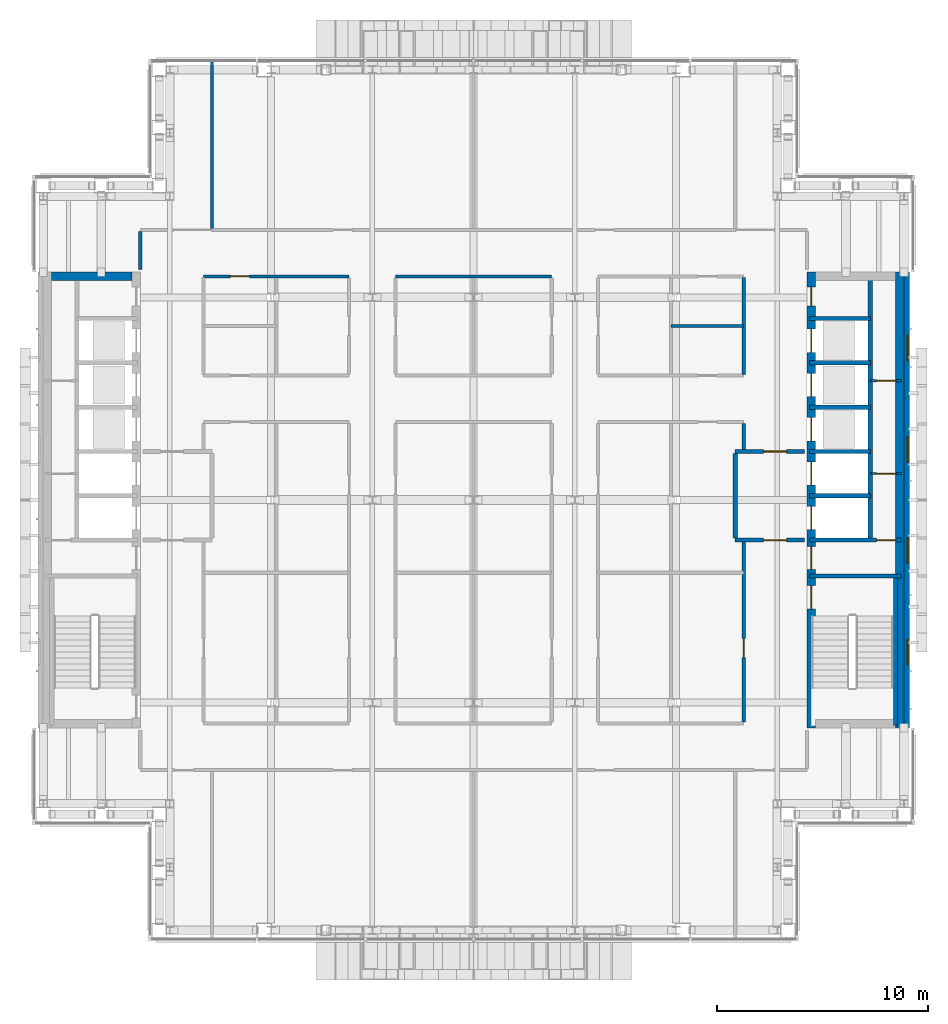
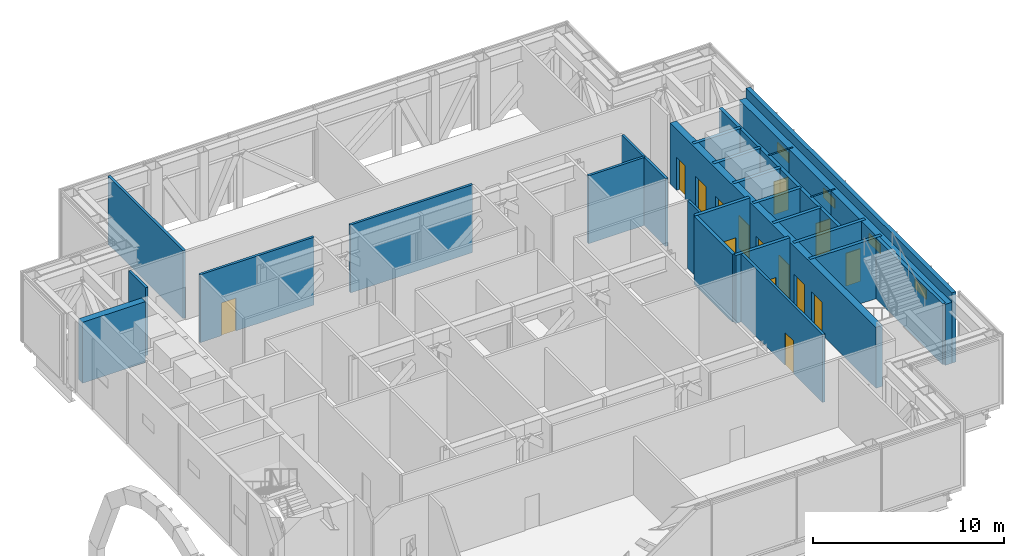
# One storey, part 13 of 26: 26 walls, 15 doors, 4 windows, 19 openings.
"""IFC4 building model written with IfcOpenShell, lengths in metres."""

from ifc_helpers import new_model, si_unit, direction, frame, frame_2d, origin, place, context, subcontext, project, spatial, rectangle, extrude, material, layer, layer_set, type_object, element, fill, save


model = new_model("IFC4")

# Units and contexts
model_context = context("Model", 3, precision=1e-05, world=origin(), true_north=direction((0.0, 1.0)))
body_context = subcontext(model_context, "Body", "Model", "MODEL_VIEW")
ifc_project = project(units=[si_unit("LENGTHUNIT", "METRE"), si_unit("AREAUNIT", "SQUARE_METRE"), si_unit("VOLUMEUNIT", "CUBIC_METRE"), si_unit("PLANEANGLEUNIT", "RADIAN"), si_unit("MASSUNIT", "GRAM", prefix="KILO")], contexts=[model_context])

# Site, building, storey
site_placement = place(None, origin())
site = spatial("IfcSite", under=ifc_project, at=site_placement, CompositionType="ELEMENT")
building_placement = place(site_placement, origin())
building = spatial("IfcBuilding", under=site, at=building_placement, Name="Cobrizo Arcos Hotel Tower", CompositionType="ELEMENT")
storey_placement = place(building_placement, frame((0.0, 0.0, 236.5)))
storey = spatial("IfcBuildingStorey", under=building, at=storey_placement, Name="L62", CompositionType="ELEMENT", Elevation=236.5)

# Wall
ifc_material_1 = material(Name="Gypsum board partition")
ifc_layer_1 = layer(ifc_material_1, 0.14990234375)
ifc_layer_set_1 = layer_set([ifc_layer_1], Name="Corridor wall EI 60 150")
wall_type_1 = type_object("IfcWallType", Name="Corridor wall EI 60 150", PredefinedType="PARTITIONING", material=ifc_layer_set_1)
wall_1_placement = place(storey_placement, frame((9.35009765625, 8.25, 0.0), z_axis=(0.0, 0.0, 1.0), x_axis=(1.0, 0.0, 0.0)))
element("IfcWall", 1, at=wall_1_placement, inside=storey, type_object=wall_type_1, Name="Partition 035", PredefinedType="PARTITIONING", context=body_context, shape_type="SweptSolid", body=[
    extrude(rectangle(XDim=3.449951171875, YDim=0.14990234375, at=frame_2d((1.72509765625, 0.0))), origin(), (0.0, 0.0, 1.0), 4.35009765625),
])

# Wall, opening, door
wall_2_placement = place(storey_placement, frame((-12.800048828125, 10.60009765625, 0.0), z_axis=(0.0, 0.0, 1.0), x_axis=(1.0, 0.0, 0.0)))
wall_2 = element("IfcWall", 2, at=wall_2_placement, inside=storey, type_object=wall_type_1, Name="Partition 038", PredefinedType="PARTITIONING", context=body_context, shape_type="SweptSolid", body=[
    extrude(rectangle(XDim=6.900146484375, YDim=0.14990234375, at=frame_2d((3.4501953125, 0.0))), origin(), (0.0, 0.0, 1.0), 4.35009765625),
])
opening_1_placement = place(wall_2_placement, frame((1.27490234375, 0.0, 0.0)))
opening_1 = element("IfcOpeningElement", 3, at=opening_1_placement, cuts=wall_2, Name="Opening RD-33", PredefinedType="OPENING", context=body_context, shape_type="SweptSolid", body=[
    extrude(rectangle(XDim=0.89990234375, YDim=2.10009765625, at=frame_2d((0.449951171875, 1.050048828125))), frame((0.0, 0.0869140625, 0.0), z_axis=(0.0, -1.0, 0.0), x_axis=(1.0, 0.0, 0.0)), (0.0, 0.0, 1.0), 0.173828125),
])
ifc_material_2 = material(Name="Timber door leaf", Category="wood")
door_type_1 = type_object("IfcDoorType", Name="Room door FD30 900x2100", OperationType="SINGLE_SWING_LEFT", PredefinedType="DOOR", material=ifc_material_2)
door_1_placement = place(opening_1_placement, origin())
door_1 = element("IfcDoor", 4, at=door_1_placement, inside=storey, type_object=door_type_1, Name="Door RD-33", OperationType="SINGLE_SWING_RIGHT", OverallHeight=2.10009765625, OverallWidth=0.89990234375, PredefinedType="DOOR", context=body_context, shape_type="SweptSolid", body=[
    extrude(rectangle(XDim=0.89990234375, YDim=2.10009765625, at=frame_2d((0.449951171875, 1.050048828125))), frame((0.0, 0.02490234375, 0.0), z_axis=(0.0, -1.0, 0.0), x_axis=(1.0, 0.0, 0.0)), (0.0, 0.0, 1.0), 0.050048828125),
])
fill(opening_1, door_1)

# Walls
wall_3_placement = place(storey_placement, frame((-3.699951171875, 10.60009765625, 0.0), z_axis=(0.0, 0.0, 1.0), x_axis=(1.0, 0.0, 0.0)))
element("IfcWall", 5, at=wall_3_placement, inside=storey, type_object=wall_type_1, Name="Partition 039", PredefinedType="PARTITIONING", context=body_context, shape_type="SweptSolid", body=[
    extrude(rectangle(XDim=7.39990234375, YDim=0.14990234375, at=frame_2d((3.699951171875, 0.0))), origin(), (0.0, 0.0, 1.0), 4.35009765625),
])
wall_4_placement = place(storey_placement, frame((-15.800048828125, 10.919921875, 0.0), z_axis=(0.0, 0.0, 1.0), x_axis=(0.0, 1.0, 0.0)))
element("IfcWall", 6, at=wall_4_placement, inside=storey, type_object=wall_type_1, Name="Partition 045", PredefinedType="PARTITIONING", context=body_context, shape_type="SweptSolid", body=[
    extrude(rectangle(XDim=1.80517578125, YDim=0.14990234375, at=frame_2d((0.902587890625, 0.0))), origin(), (0.0, 0.0, 1.0), 4.35009765625),
])
wall_5_placement = place(storey_placement, frame((-12.39990234375, 12.875, 0.0), z_axis=(0.0, 0.0, 1.0), x_axis=(0.0, 1.0, 0.0)))
element("IfcWall", 7, at=wall_5_placement, inside=storey, type_object=wall_type_1, Name="Partition 051", PredefinedType="PARTITIONING", context=body_context, shape_type="SweptSolid", body=[
    extrude(rectangle(XDim=7.905029296875, YDim=0.14990234375, at=frame_2d((3.95263671875, 0.0))), origin(), (0.0, 0.0, 1.0), 4.35009765625),
])

# Wall, opening, door
wall_6_placement = place(storey_placement, frame((12.800048828125, -10.52490234375, 0.0), z_axis=(0.0, 0.0, 1.0), x_axis=(0.0, 1.0, 0.0)))
wall_6 = element("IfcWall", 8, at=wall_6_placement, inside=storey, type_object=wall_type_1, Name="Partition 080", PredefinedType="PARTITIONING", context=body_context, shape_type="SweptSolid", body=[
    extrude(rectangle(XDim=8.52490234375, YDim=0.14990234375, at=frame_2d((4.262451171875, 0.0))), origin(), (0.0, 0.0, 1.0), 4.35009765625),
])
opening_2_placement = place(wall_6_placement, frame((3.050048828125, 0.0, 0.0)))
opening_2 = element("IfcOpeningElement", 9, at=opening_2_placement, cuts=wall_6, Name="Opening RD-17", PredefinedType="OPENING", context=body_context, shape_type="SweptSolid", body=[
    extrude(rectangle(XDim=0.89990234375, YDim=2.10009765625, at=frame_2d((0.449951171875, 1.050048828125))), frame((0.0, 0.0869140625, 0.0), z_axis=(0.0, -1.0, 0.0), x_axis=(1.0, 0.0, 0.0)), (0.0, 0.0, 1.0), 0.173828125),
])
door_2_placement = place(opening_2_placement, origin())
door_2 = element("IfcDoor", 10, at=door_2_placement, inside=storey, type_object=door_type_1, Name="Door RD-17", OperationType="SINGLE_SWING_LEFT", OverallHeight=2.10009765625, OverallWidth=0.89990234375, PredefinedType="DOOR", context=body_context, shape_type="SweptSolid", body=[
    extrude(rectangle(XDim=0.89990234375, YDim=2.10009765625, at=frame_2d((0.449951171875, 1.050048828125))), frame((0.0, 0.02490234375, 0.0), z_axis=(0.0, -1.0, 0.0), x_axis=(1.0, 0.0, 0.0)), (0.0, 0.0, 1.0), 0.050048828125),
])
fill(opening_2, door_2)

# Walls
wall_7_placement = place(storey_placement, frame((12.800048828125, 2.39990234375, 0.0), z_axis=(0.0, 0.0, 1.0), x_axis=(0.0, 1.0, 0.0)))
element("IfcWall", 11, at=wall_7_placement, inside=storey, type_object=wall_type_1, Name="Partition 081", PredefinedType="PARTITIONING", context=body_context, shape_type="SweptSolid", body=[
    extrude(rectangle(XDim=1.22509765625, YDim=0.14990234375, at=frame_2d((0.612548828125, 0.0))), origin(), (0.0, 0.0, 1.0), 4.35009765625),
])
wall_8_placement = place(storey_placement, frame((12.800048828125, 5.949951171875, 0.0), z_axis=(0.0, 0.0, 1.0), x_axis=(0.0, 1.0, 0.0)))
element("IfcWall", 12, at=wall_8_placement, inside=storey, type_object=wall_type_1, Name="Partition 082", PredefinedType="PARTITIONING", context=body_context, shape_type="SweptSolid", body=[
    extrude(rectangle(XDim=4.60009765625, YDim=0.14990234375, at=frame_2d((2.300048828125, 0.0))), origin(), (0.0, 0.0, 1.0), 4.35009765625),
])

# Wall, openings, windows
ifc_material_3 = material(Name="Aluminium composite panel pale metal", Category="aluminium")
ifc_layer_2 = layer(ifc_material_3, 0.25)
ifc_layer_set_2 = layer_set([ifc_layer_2], Name="EW-1 insulated panel wall 250")
wall_type_2 = type_object("IfcWallType", Name="EW-1 insulated panel wall 250", PredefinedType="SOLIDWALL", material=ifc_layer_set_2)
wall_9_placement = place(storey_placement, frame((20.52490234375, -10.800048828125, 0.0), z_axis=(0.0, 0.0, 1.0), x_axis=(0.0, 1.0, 0.0)))
wall_9 = element("IfcWall", 13, at=wall_9_placement, inside=storey, type_object=wall_type_2, Name="Core face wall L62 E", PredefinedType="SOLIDWALL", context=body_context, shape_type="SweptSolid", body=[
    extrude(rectangle(XDim=21.60009765625, YDim=0.25, at=frame_2d((10.800048828125, 0.0))), origin(), (0.0, 0.0, 1.0), 4.5),
])
opening_3_placement = place(wall_9_placement, frame((3.0, 0.0, 2.199951171875)))
opening_3 = element("IfcOpeningElement", 14, at=opening_3_placement, cuts=wall_9, Name="Opening W-137", PredefinedType="OPENING", context=body_context, shape_type="SweptSolid", body=[
    extrude(rectangle(XDim=1.199951171875, YDim=0.60009765625, at=frame_2d((0.60009765625, 0.300048828125))), frame((0.0, 0.136962890625, 0.0), z_axis=(0.0, -1.0, 0.0), x_axis=(1.0, 0.0, 0.0)), (0.0, 0.0, 1.0), 0.27392578125),
])
opening_4_placement = place(wall_9_placement, frame((7.800048828125, 0.0, 2.199951171875)))
opening_4 = element("IfcOpeningElement", 15, at=opening_4_placement, cuts=wall_9, Name="Opening W-138", PredefinedType="OPENING", context=body_context, shape_type="SweptSolid", body=[
    extrude(rectangle(XDim=1.199951171875, YDim=0.60009765625, at=frame_2d((0.60009765625, 0.300048828125))), frame((0.0, 0.136962890625, 0.0), z_axis=(0.0, -1.0, 0.0), x_axis=(1.0, 0.0, 0.0)), (0.0, 0.0, 1.0), 0.27392578125),
])
opening_5_placement = place(wall_9_placement, frame((12.60009765625, 0.0, 2.199951171875)))
opening_5 = element("IfcOpeningElement", 16, at=opening_5_placement, cuts=wall_9, Name="Opening W-139", PredefinedType="OPENING", context=body_context, shape_type="SweptSolid", body=[
    extrude(rectangle(XDim=1.199951171875, YDim=0.60009765625, at=frame_2d((0.60009765625, 0.300048828125))), frame((0.0, 0.136962890625, 0.0), z_axis=(0.0, -1.0, 0.0), x_axis=(1.0, 0.0, 0.0)), (0.0, 0.0, 1.0), 0.27392578125),
])
opening_6_placement = place(wall_9_placement, frame((17.39990234375, 0.0, 2.199951171875)))
opening_6 = element("IfcOpeningElement", 17, at=opening_6_placement, cuts=wall_9, Name="Opening W-140", PredefinedType="OPENING", context=body_context, shape_type="SweptSolid", body=[
    extrude(rectangle(XDim=1.199951171875, YDim=0.60009765625, at=frame_2d((0.60009765625, 0.300048828125))), frame((0.0, 0.136962890625, 0.0), z_axis=(0.0, -1.0, 0.0), x_axis=(1.0, 0.0, 0.0)), (0.0, 0.0, 1.0), 0.27392578125),
])
ifc_material_4 = material(Name="Aluminium 6063-T6 and clear laminated glass", Category="aluminium")
window_type = type_object("IfcWindowType", Name="W-S1 plant smoke-vent window 1200x600", PartitioningType="SINGLE_PANEL", PredefinedType="WINDOW", material=ifc_material_4)
window_1_placement = place(opening_3_placement, origin())
window_1 = element("IfcWindow", 18, at=window_1_placement, inside=storey, type_object=window_type, Name="Core face wall L62 E window W-137", OverallHeight=0.60009765625, OverallWidth=1.199951171875, PartitioningType="SINGLE_PANEL", PredefinedType="WINDOW", context=body_context, shape_type="SweptSolid", body=[
    extrude(rectangle(XDim=1.199951171875, YDim=0.60009765625, at=frame_2d((0.60009765625, 0.300048828125))), frame((0.0, -0.034912109375, 0.0), z_axis=(0.0, -1.0, 0.0), x_axis=(1.0, 0.0, 0.0)), (0.0, 0.0, 1.0), 0.06005859375),
])
fill(opening_3, window_1)
window_2_placement = place(opening_4_placement, origin())
window_2 = element("IfcWindow", 19, at=window_2_placement, inside=storey, type_object=window_type, Name="Core face wall L62 E window W-138", OverallHeight=0.60009765625, OverallWidth=1.199951171875, PartitioningType="SINGLE_PANEL", PredefinedType="WINDOW", context=body_context, shape_type="SweptSolid", body=[
    extrude(rectangle(XDim=1.199951171875, YDim=0.60009765625, at=frame_2d((0.60009765625, 0.300048828125))), frame((0.0, -0.034912109375, 0.0), z_axis=(0.0, -1.0, 0.0), x_axis=(1.0, 0.0, 0.0)), (0.0, 0.0, 1.0), 0.06005859375),
])
fill(opening_4, window_2)
window_3_placement = place(opening_5_placement, origin())
window_3 = element("IfcWindow", 20, at=window_3_placement, inside=storey, type_object=window_type, Name="Core face wall L62 E window W-139", OverallHeight=0.60009765625, OverallWidth=1.199951171875, PartitioningType="SINGLE_PANEL", PredefinedType="WINDOW", context=body_context, shape_type="SweptSolid", body=[
    extrude(rectangle(XDim=1.199951171875, YDim=0.60009765625, at=frame_2d((0.60009765625, 0.300048828125))), frame((0.0, -0.034912109375, 0.0), z_axis=(0.0, -1.0, 0.0), x_axis=(1.0, 0.0, 0.0)), (0.0, 0.0, 1.0), 0.06005859375),
])
fill(opening_5, window_3)
window_4_placement = place(opening_6_placement, origin())
window_4 = element("IfcWindow", 21, at=window_4_placement, inside=storey, type_object=window_type, Name="Core face wall L62 E window W-140", OverallHeight=0.60009765625, OverallWidth=1.199951171875, PartitioningType="SINGLE_PANEL", PredefinedType="WINDOW", context=body_context, shape_type="SweptSolid", body=[
    extrude(rectangle(XDim=1.199951171875, YDim=0.60009765625, at=frame_2d((0.60009765625, 0.300048828125))), frame((0.0, -0.034912109375, 0.0), z_axis=(0.0, -1.0, 0.0), x_axis=(1.0, 0.0, 0.0)), (0.0, 0.0, 1.0), 0.06005859375),
])
fill(opening_6, window_4)

# Wall, opening, door
ifc_layer_3 = layer(ifc_material_1, 0.10009765625)
ifc_layer_set_3 = layer_set([ifc_layer_3], Name="Partition EI 30 100")
wall_type_3 = type_object("IfcWallType", Name="Partition EI 30 100", PredefinedType="PARTITIONING", material=ifc_layer_set_3)
wall_10_placement = place(storey_placement, frame((18.800048828125, 1.25, 0.0), z_axis=(0.0, 0.0, 1.0), x_axis=(1.0, 0.0, 0.0)))
wall_10 = element("IfcWall", 22, at=wall_10_placement, inside=storey, type_object=wall_type_3, Name="Partition 017", PredefinedType="PARTITIONING", context=body_context, shape_type="SweptSolid", body=[
    extrude(rectangle(XDim=1.47998046875, YDim=0.10009765625, at=frame_2d((0.739990234375, 0.0))), origin(), (0.0, 0.0, 1.0), 3.89990234375),
])
opening_7_placement = place(wall_10_placement, frame((0.300048828125, 0.0, 0.0)))
opening_7 = element("IfcOpeningElement", 23, at=opening_7_placement, cuts=wall_10, Name="Opening RD-07", PredefinedType="OPENING", context=body_context, shape_type="SweptSolid", body=[
    extrude(rectangle(XDim=0.89990234375, YDim=2.10009765625, at=frame_2d((0.449951171875, 1.050048828125))), frame((0.0, 0.06201171875, 0.0), z_axis=(0.0, -1.0, 0.0), x_axis=(1.0, 0.0, 0.0)), (0.0, 0.0, 1.0), 0.1240234375),
])
door_3_placement = place(opening_7_placement, origin())
door_3 = element("IfcDoor", 24, at=door_3_placement, inside=storey, type_object=door_type_1, Name="Door RD-07", OperationType="SINGLE_SWING_RIGHT", OverallHeight=2.10009765625, OverallWidth=0.89990234375, PredefinedType="DOOR", context=body_context, shape_type="SweptSolid", body=[
    extrude(rectangle(XDim=0.89990234375, YDim=2.10009765625, at=frame_2d((0.449951171875, 1.050048828125))), frame((0.0, 0.02490234375, 0.0), z_axis=(0.0, -1.0, 0.0), x_axis=(1.0, 0.0, 0.0)), (0.0, 0.0, 1.0), 0.050048828125),
])
fill(opening_7, door_3)

wall_11_placement = place(storey_placement, frame((18.800048828125, 5.64990234375, 0.0), z_axis=(0.0, 0.0, 1.0), x_axis=(1.0, 0.0, 0.0)))
wall_11 = element("IfcWall", 25, at=wall_11_placement, inside=storey, type_object=wall_type_3, Name="Partition 028", PredefinedType="PARTITIONING", context=body_context, shape_type="SweptSolid", body=[
    extrude(rectangle(XDim=1.47998046875, YDim=0.10009765625, at=frame_2d((0.739990234375, 0.0))), origin(), (0.0, 0.0, 1.0), 3.89990234375),
])
opening_8_placement = place(wall_11_placement, frame((0.300048828125, 0.0, 0.0)))
opening_8 = element("IfcOpeningElement", 26, at=opening_8_placement, cuts=wall_11, Name="Opening RD-08", PredefinedType="OPENING", context=body_context, shape_type="SweptSolid", body=[
    extrude(rectangle(XDim=0.89990234375, YDim=2.10009765625, at=frame_2d((0.449951171875, 1.050048828125))), frame((0.0, 0.06201171875, 0.0), z_axis=(0.0, -1.0, 0.0), x_axis=(1.0, 0.0, 0.0)), (0.0, 0.0, 1.0), 0.1240234375),
])
door_4_placement = place(opening_8_placement, origin())
door_4 = element("IfcDoor", 27, at=door_4_placement, inside=storey, type_object=door_type_1, Name="Door RD-08", OperationType="SINGLE_SWING_LEFT", OverallHeight=2.10009765625, OverallWidth=0.89990234375, PredefinedType="DOOR", context=body_context, shape_type="SweptSolid", body=[
    extrude(rectangle(XDim=0.89990234375, YDim=2.10009765625, at=frame_2d((0.449951171875, 1.050048828125))), frame((0.0, 0.02490234375, 0.0), z_axis=(0.0, -1.0, 0.0), x_axis=(1.0, 0.0, 0.0)), (0.0, 0.0, 1.0), 0.050048828125),
])
fill(opening_8, door_4)

# Wall, openings, doors
ifc_material_5 = material(Name="Concrete f'c 40 MPa", Category="concrete")
ifc_layer_4 = layer(ifc_material_5, 0.39990234375)
ifc_layer_set_4 = layer_set([ifc_layer_4], Name="RC core wall 400 f'c 40")
wall_type_4 = type_object("IfcWallType", Name="RC core wall 400 f'c 40", PredefinedType="SHEAR", material=ifc_layer_set_4)
wall_12_placement = place(storey_placement, frame((16.0, -10.800048828125, 0.0), z_axis=(0.0, 0.0, 1.0), x_axis=(0.0, 1.0, 0.0)))
wall_12 = element("IfcWall", 28, at=wall_12_placement, inside=storey, type_object=wall_type_4, Name="Core wall CW4, east core, inner face, L62", PredefinedType="SHEAR", context=body_context, shape_type="SweptSolid", body=[
    extrude(rectangle(XDim=21.60009765625, YDim=0.39990234375, at=frame_2d((10.800048828125, 0.0))), origin(), (0.0, 0.0, 1.0), 3.89990234375),
])
opening_9_placement = place(wall_12_placement, frame((9.39990234375, 0.0, 0.0)))
opening_9 = element("IfcOpeningElement", 29, at=opening_9_placement, cuts=wall_12, Name="Opening LD-06", PredefinedType="OPENING", context=body_context, shape_type="SweptSolid", body=[
    extrude(rectangle(XDim=1.10009765625, YDim=2.10009765625, at=frame_2d((0.550048828125, 1.050048828125))), frame((0.0, 0.2119140625, 0.0), z_axis=(0.0, -1.0, 0.0), x_axis=(1.0, 0.0, 0.0)), (0.0, 0.0, 1.0), 0.423828125),
])
opening_10_placement = place(wall_12_placement, frame((11.5, 0.0, 0.0)))
opening_10 = element("IfcOpeningElement", 30, at=opening_10_placement, cuts=wall_12, Name="Opening LD-07", PredefinedType="OPENING", context=body_context, shape_type="SweptSolid", body=[
    extrude(rectangle(XDim=1.10009765625, YDim=2.10009765625, at=frame_2d((0.550048828125, 1.050048828125))), frame((0.0, 0.2119140625, 0.0), z_axis=(0.0, -1.0, 0.0), x_axis=(1.0, 0.0, 0.0)), (0.0, 0.0, 1.0), 0.423828125),
])
opening_11_placement = place(wall_12_placement, frame((13.60009765625, 0.0, 0.0)))
opening_11 = element("IfcOpeningElement", 31, at=opening_11_placement, cuts=wall_12, Name="Opening LD-08", PredefinedType="OPENING", context=body_context, shape_type="SweptSolid", body=[
    extrude(rectangle(XDim=1.10009765625, YDim=2.10009765625, at=frame_2d((0.550048828125, 1.050048828125))), frame((0.0, 0.2119140625, 0.0), z_axis=(0.0, -1.0, 0.0), x_axis=(1.0, 0.0, 0.0)), (0.0, 0.0, 1.0), 0.423828125),
])
opening_12_placement = place(wall_12_placement, frame((15.699951171875, 0.0, 0.0)))
opening_12 = element("IfcOpeningElement", 32, at=opening_12_placement, cuts=wall_12, Name="Opening LD-09", PredefinedType="OPENING", context=body_context, shape_type="SweptSolid", body=[
    extrude(rectangle(XDim=1.10009765625, YDim=2.10009765625, at=frame_2d((0.550048828125, 1.050048828125))), frame((0.0, 0.2119140625, 0.0), z_axis=(0.0, -1.0, 0.0), x_axis=(1.0, 0.0, 0.0)), (0.0, 0.0, 1.0), 0.423828125),
])
opening_13_placement = place(wall_12_placement, frame((17.800048828125, 0.0, 0.0)))
opening_13 = element("IfcOpeningElement", 33, at=opening_13_placement, cuts=wall_12, Name="Opening LD-10", PredefinedType="OPENING", context=body_context, shape_type="SweptSolid", body=[
    extrude(rectangle(XDim=1.10009765625, YDim=2.10009765625, at=frame_2d((0.550048828125, 1.050048828125))), frame((0.0, 0.2119140625, 0.0), z_axis=(0.0, -1.0, 0.0), x_axis=(1.0, 0.0, 0.0)), (0.0, 0.0, 1.0), 0.423828125),
])
opening_14_placement = place(wall_12_placement, frame((5.64208984375, 0.0, 0.0)))
opening_14 = element("IfcOpeningElement", 34, at=opening_14_placement, cuts=wall_12, Name="Opening SD-02", PredefinedType="OPENING", context=body_context, shape_type="SweptSolid", body=[
    extrude(rectangle(XDim=1.10009765625, YDim=2.10009765625, at=frame_2d((0.550048828125, 1.050048828125))), frame((0.0, 0.2119140625, 0.0), z_axis=(0.0, -1.0, 0.0), x_axis=(1.0, 0.0, 0.0)), (0.0, 0.0, 1.0), 0.423828125),
])
opening_15_placement = place(wall_12_placement, frame((7.5, 0.0, 0.0)))
opening_15 = element("IfcOpeningElement", 35, at=opening_15_placement, cuts=wall_12, Name="Opening FD-04", PredefinedType="OPENING", context=body_context, shape_type="SweptSolid", body=[
    extrude(rectangle(XDim=1.10009765625, YDim=2.10009765625, at=frame_2d((0.550048828125, 1.050048828125))), frame((0.0, 0.2119140625, 0.0), z_axis=(0.0, -1.0, 0.0), x_axis=(1.0, 0.0, 0.0)), (0.0, 0.0, 1.0), 0.423828125),
])
opening_16_placement = place(wall_12_placement, frame((20.0, 0.0, 0.0)))
opening_16 = element("IfcOpeningElement", 36, at=opening_16_placement, cuts=wall_12, Name="Opening RD-05", PredefinedType="OPENING", context=body_context, shape_type="SweptSolid", body=[
    extrude(rectangle(XDim=0.89990234375, YDim=2.10009765625, at=frame_2d((0.449951171875, 1.050048828125))), frame((0.0, 0.2119140625, 0.0), z_axis=(0.0, -1.0, 0.0), x_axis=(1.0, 0.0, 0.0)), (0.0, 0.0, 1.0), 0.423828125),
])
ifc_material_6 = material(Name="Steel door leaf", Category="steel")
door_type_2 = type_object("IfcDoorType", Name="Fire door FD60 1100x2100", OperationType="SINGLE_SWING_LEFT", PredefinedType="DOOR", material=ifc_material_6)
door_5_placement = place(opening_15_placement, origin())
door_5 = element("IfcDoor", 37, at=door_5_placement, inside=storey, type_object=door_type_2, Name="Door FD-04", OperationType="SINGLE_SWING_RIGHT", OverallHeight=2.10009765625, OverallWidth=1.10009765625, PredefinedType="DOOR", context=body_context, shape_type="SweptSolid", body=[
    extrude(rectangle(XDim=1.10009765625, YDim=2.10009765625, at=frame_2d((0.550048828125, 1.050048828125))), frame((0.0, 0.02490234375, 0.0), z_axis=(0.0, -1.0, 0.0), x_axis=(1.0, 0.0, 0.0)), (0.0, 0.0, 1.0), 0.050048828125),
])
fill(opening_15, door_5)
door_type_3 = type_object("IfcDoorType", Name="Lift landing door 1100x2100", OperationType="SLIDING_TO_LEFT", PredefinedType="DOOR", material=ifc_material_6)
door_6_placement = place(opening_9_placement, origin())
door_6 = element("IfcDoor", 38, at=door_6_placement, inside=storey, type_object=door_type_3, Name="Lift landing door LD-06", OperationType="SLIDING_TO_LEFT", OverallHeight=2.10009765625, OverallWidth=1.10009765625, PredefinedType="DOOR", context=body_context, shape_type="SweptSolid", body=[
    extrude(rectangle(XDim=1.10009765625, YDim=2.10009765625, at=frame_2d((0.550048828125, 1.050048828125))), frame((0.0, 0.02490234375, 0.0), z_axis=(0.0, -1.0, 0.0), x_axis=(1.0, 0.0, 0.0)), (0.0, 0.0, 1.0), 0.050048828125),
])
fill(opening_9, door_6)
door_7_placement = place(opening_10_placement, origin())
door_7 = element("IfcDoor", 39, at=door_7_placement, inside=storey, type_object=door_type_3, Name="Lift landing door LD-07", OperationType="SLIDING_TO_LEFT", OverallHeight=2.10009765625, OverallWidth=1.10009765625, PredefinedType="DOOR", context=body_context, shape_type="SweptSolid", body=[
    extrude(rectangle(XDim=1.10009765625, YDim=2.10009765625, at=frame_2d((0.550048828125, 1.050048828125))), frame((0.0, 0.02490234375, 0.0), z_axis=(0.0, -1.0, 0.0), x_axis=(1.0, 0.0, 0.0)), (0.0, 0.0, 1.0), 0.050048828125),
])
fill(opening_10, door_7)
door_8_placement = place(opening_11_placement, origin())
door_8 = element("IfcDoor", 40, at=door_8_placement, inside=storey, type_object=door_type_3, Name="Lift landing door LD-08", OperationType="SLIDING_TO_LEFT", OverallHeight=2.10009765625, OverallWidth=1.10009765625, PredefinedType="DOOR", context=body_context, shape_type="SweptSolid", body=[
    extrude(rectangle(XDim=1.10009765625, YDim=2.10009765625, at=frame_2d((0.550048828125, 1.050048828125))), frame((0.0, 0.02490234375, 0.0), z_axis=(0.0, -1.0, 0.0), x_axis=(1.0, 0.0, 0.0)), (0.0, 0.0, 1.0), 0.050048828125),
])
fill(opening_11, door_8)
door_9_placement = place(opening_12_placement, origin())
door_9 = element("IfcDoor", 41, at=door_9_placement, inside=storey, type_object=door_type_3, Name="Lift landing door LD-09", OperationType="SLIDING_TO_LEFT", OverallHeight=2.10009765625, OverallWidth=1.10009765625, PredefinedType="DOOR", context=body_context, shape_type="SweptSolid", body=[
    extrude(rectangle(XDim=1.10009765625, YDim=2.10009765625, at=frame_2d((0.550048828125, 1.050048828125))), frame((0.0, 0.02490234375, 0.0), z_axis=(0.0, -1.0, 0.0), x_axis=(1.0, 0.0, 0.0)), (0.0, 0.0, 1.0), 0.050048828125),
])
fill(opening_12, door_9)
door_10_placement = place(opening_13_placement, origin())
door_10 = element("IfcDoor", 42, at=door_10_placement, inside=storey, type_object=door_type_3, Name="Lift landing door LD-10", OperationType="SLIDING_TO_LEFT", OverallHeight=2.10009765625, OverallWidth=1.10009765625, PredefinedType="DOOR", context=body_context, shape_type="SweptSolid", body=[
    extrude(rectangle(XDim=1.10009765625, YDim=2.10009765625, at=frame_2d((0.550048828125, 1.050048828125))), frame((0.0, 0.02490234375, 0.0), z_axis=(0.0, -1.0, 0.0), x_axis=(1.0, 0.0, 0.0)), (0.0, 0.0, 1.0), 0.050048828125),
])
fill(opening_13, door_10)
door_11_placement = place(opening_16_placement, origin())
door_11 = element("IfcDoor", 43, at=door_11_placement, inside=storey, type_object=door_type_1, Name="Door RD-05", OperationType="SINGLE_SWING_RIGHT", OverallHeight=2.10009765625, OverallWidth=0.89990234375, PredefinedType="DOOR", context=body_context, shape_type="SweptSolid", body=[
    extrude(rectangle(XDim=0.89990234375, YDim=2.10009765625, at=frame_2d((0.449951171875, 1.050048828125))), frame((0.0, 0.02490234375, 0.0), z_axis=(0.0, -1.0, 0.0), x_axis=(1.0, 0.0, 0.0)), (0.0, 0.0, 1.0), 0.050048828125),
])
fill(opening_16, door_11)
door_type_4 = type_object("IfcDoorType", Name="Stair door FD60S 1100x2100", OperationType="SINGLE_SWING_LEFT", PredefinedType="DOOR", material=ifc_material_6)
door_12_placement = place(opening_14_placement, origin())
door_12 = element("IfcDoor", 44, at=door_12_placement, inside=storey, type_object=door_type_4, Name="Door SD-02", OperationType="SINGLE_SWING_LEFT", OverallHeight=2.10009765625, OverallWidth=1.10009765625, PredefinedType="DOOR", context=body_context, shape_type="SweptSolid", body=[
    extrude(rectangle(XDim=1.10009765625, YDim=2.10009765625, at=frame_2d((0.550048828125, 1.050048828125))), frame((0.0, 0.02490234375, 0.0), z_axis=(0.0, -1.0, 0.0), x_axis=(1.0, 0.0, 0.0)), (0.0, 0.0, 1.0), 0.050048828125),
])
fill(opening_14, door_12)

# Walls
wall_13_placement = place(storey_placement, frame((20.199951171875, -10.800048828125, 0.0), z_axis=(0.0, 0.0, 1.0), x_axis=(0.0, 1.0, 0.0)))
element("IfcWall", 45, at=wall_13_placement, inside=storey, type_object=wall_type_4, Name="Core wall CW4, east core, outer face, L62", PredefinedType="SHEAR", context=body_context, shape_type="SweptSolid", body=[
    extrude(rectangle(XDim=21.60009765625, YDim=0.39990234375, at=frame_2d((10.800048828125, 0.0))), origin(), (0.0, 0.0, 1.0), 3.89990234375),
])
wall_14_placement = place(storey_placement, frame((-20.0, 10.60009765625, 0.0), z_axis=(0.0, 0.0, 1.0), x_axis=(1.0, 0.0, 0.0)))
element("IfcWall", 46, at=wall_14_placement, inside=storey, type_object=wall_type_4, Name="Core wall CW4, west core, north end, L62", PredefinedType="SHEAR", context=body_context, shape_type="SweptSolid", body=[
    extrude(rectangle(XDim=3.800048828125, YDim=0.39990234375, at=frame_2d((1.89990234375, 0.0))), origin(), (0.0, 0.0, 1.0), 3.89990234375),
])

# Wall, opening, door
ifc_layer_5 = layer(ifc_material_1, 0.199951171875)
ifc_layer_set_5 = layer_set([ifc_layer_5], Name="Shaft wall EI 120 200")
wall_type_5 = type_object("IfcWallType", Name="Shaft wall EI 120 200", PredefinedType="PARTITIONING", material=ifc_layer_set_5)
wall_15_placement = place(storey_placement, frame((12.39990234375, -1.89990234375, 0.0), z_axis=(0.0, 0.0, 1.0), x_axis=(1.0, 0.0, 0.0)))
wall_15 = element("IfcWall", 47, at=wall_15_placement, inside=storey, type_object=wall_type_5, Name="Partition 012", PredefinedType="PARTITIONING", context=body_context, shape_type="SweptSolid", body=[
    extrude(rectangle(XDim=3.280029296875, YDim=0.199951171875, at=frame_2d((1.64013671875, 0.0))), origin(), (0.0, 0.0, 1.0), 4.35009765625),
])
opening_17_placement = place(wall_15_placement, frame((1.340087890625, 0.0, 0.0)))
opening_17 = element("IfcOpeningElement", 48, at=opening_17_placement, cuts=wall_15, Name="Opening FD-06", PredefinedType="OPENING", context=body_context, shape_type="SweptSolid", body=[
    extrude(rectangle(XDim=1.10009765625, YDim=2.10009765625, at=frame_2d((0.550048828125, 1.050048828125))), frame((0.0, 0.112060546875, 0.0), z_axis=(0.0, -1.0, 0.0), x_axis=(1.0, 0.0, 0.0)), (0.0, 0.0, 1.0), 0.223876953125),
])
door_13_placement = place(opening_17_placement, origin())
door_13 = element("IfcDoor", 49, at=door_13_placement, inside=storey, type_object=door_type_2, Name="Door FD-06", OperationType="SINGLE_SWING_RIGHT", OverallHeight=2.10009765625, OverallWidth=1.10009765625, PredefinedType="DOOR", context=body_context, shape_type="SweptSolid", body=[
    extrude(rectangle(XDim=1.10009765625, YDim=2.10009765625, at=frame_2d((0.550048828125, 1.050048828125))), frame((0.0, 0.02490234375, 0.0), z_axis=(0.0, -1.0, 0.0), x_axis=(1.0, 0.0, 0.0)), (0.0, 0.0, 1.0), 0.050048828125),
])
fill(opening_17, door_13)

wall_16_placement = place(storey_placement, frame((15.919921875, -1.89990234375, 0.0), z_axis=(0.0, 0.0, 1.0), x_axis=(1.0, 0.0, 0.0)))
wall_16 = element("IfcWall", 50, at=wall_16_placement, inside=storey, type_object=wall_type_5, Name="Partition 013", PredefinedType="PARTITIONING", context=body_context, shape_type="SweptSolid", body=[
    extrude(rectangle(XDim=4.360107421875, YDim=0.199951171875, at=frame_2d((2.18017578125, 0.0))), origin(), (0.0, 0.0, 1.0), 3.89990234375),
])
opening_18_placement = place(wall_16_placement, frame((3.179931640625, 0.0, 0.0)))
opening_18 = element("IfcOpeningElement", 51, at=opening_18_placement, cuts=wall_16, Name="Opening RD-06", PredefinedType="OPENING", context=body_context, shape_type="SweptSolid", body=[
    extrude(rectangle(XDim=0.89990234375, YDim=2.10009765625, at=frame_2d((0.449951171875, 1.050048828125))), frame((0.0, 0.112060546875, 0.0), z_axis=(0.0, -1.0, 0.0), x_axis=(1.0, 0.0, 0.0)), (0.0, 0.0, 1.0), 0.223876953125),
])
door_14_placement = place(opening_18_placement, origin())
door_14 = element("IfcDoor", 52, at=door_14_placement, inside=storey, type_object=door_type_1, Name="Door RD-06", OperationType="SINGLE_SWING_RIGHT", OverallHeight=2.10009765625, OverallWidth=0.89990234375, PredefinedType="DOOR", context=body_context, shape_type="SweptSolid", body=[
    extrude(rectangle(XDim=0.89990234375, YDim=2.10009765625, at=frame_2d((0.449951171875, 1.050048828125))), frame((0.0, 0.02490234375, 0.0), z_axis=(0.0, -1.0, 0.0), x_axis=(1.0, 0.0, 0.0)), (0.0, 0.0, 1.0), 0.050048828125),
])
fill(opening_18, door_14)

# Wall
wall_17_placement = place(storey_placement, frame((15.919921875, 0.199951171875, 0.0), z_axis=(0.0, 0.0, 1.0), x_axis=(1.0, 0.0, 0.0)))
element("IfcWall", 53, at=wall_17_placement, inside=storey, type_object=wall_type_5, Name="Partition 015", PredefinedType="PARTITIONING", context=body_context, shape_type="SweptSolid", body=[
    extrude(rectangle(XDim=2.880126953125, YDim=0.199951171875, at=frame_2d((1.43994140625, 0.0))), origin(), (0.0, 0.0, 1.0), 3.89990234375),
])

# Wall, opening, door
wall_18_placement = place(storey_placement, frame((12.39990234375, 2.300048828125, 0.0), z_axis=(0.0, 0.0, 1.0), x_axis=(1.0, 0.0, 0.0)))
wall_18 = element("IfcWall", 54, at=wall_18_placement, inside=storey, type_object=wall_type_5, Name="Partition 020", PredefinedType="PARTITIONING", context=body_context, shape_type="SweptSolid", body=[
    extrude(rectangle(XDim=3.280029296875, YDim=0.199951171875, at=frame_2d((1.64013671875, 0.0))), origin(), (0.0, 0.0, 1.0), 4.35009765625),
])
opening_19_placement = place(wall_18_placement, frame((1.340087890625, 0.0, 0.0)))
opening_19 = element("IfcOpeningElement", 55, at=opening_19_placement, cuts=wall_18, Name="Opening FD-05", PredefinedType="OPENING", context=body_context, shape_type="SweptSolid", body=[
    extrude(rectangle(XDim=1.10009765625, YDim=2.10009765625, at=frame_2d((0.550048828125, 1.050048828125))), frame((0.0, 0.112060546875, 0.0), z_axis=(0.0, -1.0, 0.0), x_axis=(1.0, 0.0, 0.0)), (0.0, 0.0, 1.0), 0.223876953125),
])
door_15_placement = place(opening_19_placement, origin())
door_15 = element("IfcDoor", 56, at=door_15_placement, inside=storey, type_object=door_type_2, Name="Door FD-05", OperationType="SINGLE_SWING_RIGHT", OverallHeight=2.10009765625, OverallWidth=1.10009765625, PredefinedType="DOOR", context=body_context, shape_type="SweptSolid", body=[
    extrude(rectangle(XDim=1.10009765625, YDim=2.10009765625, at=frame_2d((0.550048828125, 1.050048828125))), frame((0.0, 0.02490234375, 0.0), z_axis=(0.0, -1.0, 0.0), x_axis=(1.0, 0.0, 0.0)), (0.0, 0.0, 1.0), 0.050048828125),
])
fill(opening_19, door_15)

# Walls
for number, where, z_axis, x_axis, name in (
    (57, (15.919921875, 2.300048828125, 0.0), (0.0, 0.0, 1.0), (1.0, 0.0, 0.0), "Partition 021"),
    (58, (15.919921875, 4.39990234375, 0.0), (0.0, 0.0, 1.0), (1.0, 0.0, 0.0), "Partition 026"),
    (59, (15.919921875, 6.5, 0.0), (0.0, 0.0, 1.0), (1.0, 0.0, 0.0), "Partition 033"),
    (60, (15.919921875, 8.60009765625, 0.0), (0.0, 0.0, 1.0), (1.0, 0.0, 0.0), "Partition 037"),
):
    element("IfcWall", number, at=place(storey_placement, frame(where, z_axis=z_axis, x_axis=x_axis)), inside=storey, type_object=wall_type_5, Name=name, PredefinedType="PARTITIONING", context=body_context, shape_type="SweptSolid", body=[
        extrude(rectangle(XDim=2.880126953125, YDim=0.199951171875, at=frame_2d((1.43994140625, 0.0))), origin(), (0.0, 0.0, 1.0), 3.89990234375),
    ])
wall_19_placement = place(storey_placement, frame((12.39990234375, -1.800048828125, 0.0), z_axis=(0.0, 0.0, 1.0), x_axis=(0.0, 1.0, 0.0)))
element("IfcWall", 61, at=wall_19_placement, inside=storey, type_object=wall_type_5, Name="Partition 078", PredefinedType="PARTITIONING", context=body_context, shape_type="SweptSolid", body=[
    extrude(rectangle(XDim=4.0, YDim=0.199951171875, at=frame_2d((2.0, 0.0))), origin(), (0.0, 0.0, 1.0), 4.35009765625),
])
wall_20_placement = place(storey_placement, frame((18.800048828125, -1.800048828125, 0.0), z_axis=(0.0, 0.0, 1.0), x_axis=(0.0, 1.0, 0.0)))
element("IfcWall", 62, at=wall_20_placement, inside=storey, type_object=wall_type_5, Name="Partition 085", PredefinedType="PARTITIONING", context=body_context, shape_type="SweptSolid", body=[
    extrude(rectangle(XDim=12.47998046875, YDim=0.199951171875, at=frame_2d((6.239990234375, 0.0))), origin(), (0.0, 0.0, 1.0), 3.89990234375),
])
ifc_layer_6 = layer(ifc_material_5, 0.199951171875)
ifc_layer_set_6 = layer_set([ifc_layer_6], Name="Stair shaft wall 200")
wall_type_6 = type_object("IfcWallType", Name="Stair shaft wall 200", PredefinedType="SHEAR", material=ifc_layer_set_6)
wall_21_placement = place(storey_placement, frame((15.919921875, -3.60009765625, 0.0), z_axis=(0.0, 0.0, 1.0), x_axis=(1.0, 0.0, 0.0)))
element("IfcWall", 63, at=wall_21_placement, inside=storey, type_object=wall_type_6, Name="Stair shaft wall E", PredefinedType="SHEAR", context=body_context, shape_type="SweptSolid", body=[
    extrude(rectangle(XDim=4.360107421875, YDim=0.199951171875, at=frame_2d((2.18017578125, 0.0))), origin(), (0.0, 0.0, 1.0), 3.89990234375),
])
wall_22_placement = place(storey_placement, frame((20.0, -10.679931640625, 0.0), z_axis=(0.0, 0.0, 1.0), x_axis=(0.0, 1.0, 0.0)))
element("IfcWall", 64, at=wall_22_placement, inside=storey, type_object=wall_type_6, Name="Stair shaft wall E", PredefinedType="SHEAR", context=body_context, shape_type="SweptSolid", body=[
    extrude(rectangle(XDim=6.97998046875, YDim=0.199951171875, at=frame_2d((3.489990234375, 0.0))), origin(), (0.0, 0.0, 1.0), 3.89990234375),
])

save(model, "model.ifc")
